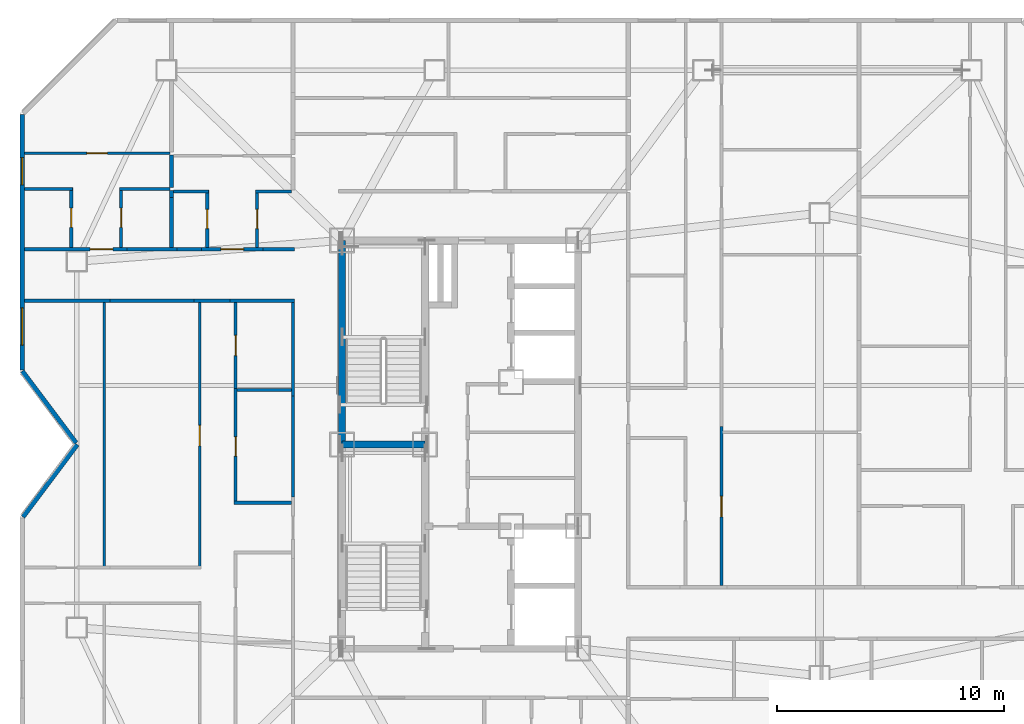
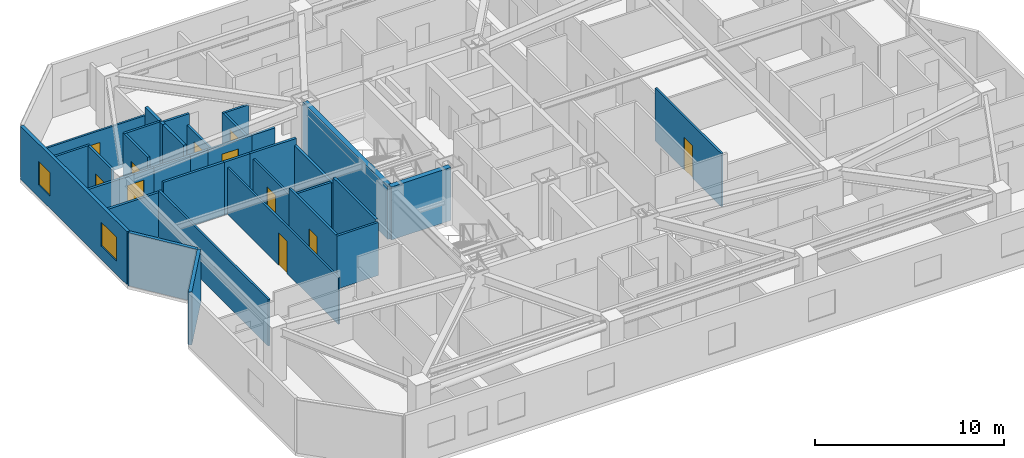
# One storey, part 7 of 13: 35 walls, 11 doors, 2 windows, 13 openings.
"""IFC4 building model written with IfcOpenShell, lengths in metres."""

from ifc_helpers import new_model, si_unit, direction, frame, frame_2d, origin, place, context, subcontext, project, spatial, rectangle, extrude, material, layer, layer_set, type_object, element, fill, save


model = new_model("IFC4")

# Units and contexts
model_context = context("Model", 3, precision=1e-05, world=origin(), true_north=direction((0.0, 1.0)))
body_context = subcontext(model_context, "Body", "Model", "MODEL_VIEW")
ifc_project = project(units=[si_unit("LENGTHUNIT", "METRE"), si_unit("AREAUNIT", "SQUARE_METRE"), si_unit("VOLUMEUNIT", "CUBIC_METRE"), si_unit("PLANEANGLEUNIT", "RADIAN"), si_unit("MASSUNIT", "GRAM", prefix="KILO")], contexts=[model_context])

# Site, building, storey
site_placement = place(None, origin())
site = spatial("IfcSite", under=ifc_project, at=site_placement, CompositionType="ELEMENT")
building_placement = place(site_placement, origin())
building = spatial("IfcBuilding", under=site, at=building_placement, Name="Khamvora Tower", CompositionType="ELEMENT")
storey_placement = place(building_placement, frame((0.0, 0.0, 196.050048828125)))
storey = spatial("IfcBuildingStorey", under=building, at=storey_placement, Name="L50", CompositionType="ELEMENT", Elevation=196.050048828125)

# Walls
ifc_material_1 = material(Name="Concrete C50/60", Category="concrete")
ifc_layer_1 = layer(ifc_material_1, 0.300048828125)
ifc_layer_set_1 = layer_set([ifc_layer_1], Name="Concrete C50/60")
wall_type_1 = type_object("IfcWallType", Name="WAL-CORE-300", PredefinedType="SHEAR", material=ifc_layer_set_1)
wall_1_placement = place(storey_placement, frame((29.0, 28.0, 0.0), z_axis=(0.0, 0.0, 1.0), x_axis=(0.0, 1.0, 0.0)))
element("IfcWall", 1, at=wall_1_placement, inside=storey, type_object=wall_type_1, Name="L50 central core west north wall", PredefinedType="SHEAR", context=body_context, shape_type="SweptSolid", body=[
    extrude(rectangle(XDim=9.0, YDim=0.300048828125, at=frame_2d((4.5, 0.0))), origin(), (0.0, 0.0, 1.0), 3.429931640625),
])
wall_2_placement = place(storey_placement, frame((29.0, 28.0, 0.0), z_axis=(0.0, 0.0, 1.0), x_axis=(1.0, 0.0, 0.0)))
element("IfcWall", 2, at=wall_2_placement, inside=storey, type_object=wall_type_1, Name="L50 central core stair cross wall", PredefinedType="SHEAR", context=body_context, shape_type="SweptSolid", body=[
    extrude(rectangle(XDim=3.64990234375, YDim=0.300048828125, at=frame_2d((1.824951171875, 0.0))), origin(), (0.0, 0.0, 1.0), 3.429931640625),
])
ifc_material_2 = material(Name="Fire-Rated Drywall and Steel Stud", Category="steel")
ifc_layer_2 = layer(ifc_material_2, 0.14990234375)
ifc_layer_set_2 = layer_set([ifc_layer_2], Name="Fire-Rated Drywall and Steel Stud")
wall_type_2 = type_object("IfcWallType", Name="WAL-CORR-150", PredefinedType="STANDARD", material=ifc_layer_set_2)
wall_3_placement = place(storey_placement, frame((26.8349609375, 30.14990234375, 0.0), z_axis=(0.0, 0.0, 1.0), x_axis=(0.0, 1.0, 0.0)))
element("IfcWall", 3, at=wall_3_placement, inside=storey, type_object=wall_type_2, Name="L50 interior partition wall 009", PredefinedType="STANDARD", context=body_context, shape_type="SweptSolid", body=[
    extrude(rectangle(XDim=4.25, YDim=0.14990234375, at=frame_2d((2.125, 0.0))), origin(), (0.0, 0.0, 1.0), 3.012939453125),
])
wall_4_placement = place(storey_placement, frame((26.89794921875, 34.3349609375, 0.0), z_axis=(0.0, 0.0, 1.0), x_axis=(-1.0, 0.0, 0.0)))
element("IfcWall", 4, at=wall_4_placement, inside=storey, type_object=wall_type_2, Name="L50 interior partition wall 010", PredefinedType="STANDARD", context=body_context, shape_type="SweptSolid", body=[
    extrude(rectangle(XDim=2.842041015625, YDim=0.14990234375, at=frame_2d((1.4208984375, 0.0))), origin(), (0.0, 0.0, 1.0), 3.429931640625),
])
wall_5_placement = place(storey_placement, frame((24.055908203125, 34.3349609375, 0.0), z_axis=(0.0, 0.0, 1.0), x_axis=(-1.0, 0.0, 0.0)))
element("IfcWall", 5, at=wall_5_placement, inside=storey, type_object=wall_type_2, Name="L50 interior partition wall 012", PredefinedType="STANDARD", context=body_context, shape_type="SweptSolid", body=[
    extrude(rectangle(XDim=1.579833984375, YDim=0.14990234375, at=frame_2d((0.7900390625, 0.0))), origin(), (0.0, 0.0, 1.0), 3.429931640625),
])
wall_6_placement = place(storey_placement, frame((26.8349609375, 25.68310546875, 0.0), z_axis=(0.0, 0.0, 1.0), x_axis=(0.0, 1.0, 0.0)))
element("IfcWall", 6, at=wall_6_placement, inside=storey, type_object=wall_type_2, Name="L50 interior partition wall 014", PredefinedType="STANDARD", context=body_context, shape_type="SweptSolid", body=[
    extrude(rectangle(XDim=4.466796875, YDim=0.14990234375, at=frame_2d((2.2333984375, 0.0))), origin(), (0.0, 0.0, 1.0), 3.429931640625),
])
wall_7_placement = place(storey_placement, frame((18.759033203125, 34.3349609375, 0.0), z_axis=(0.0, 0.0, 1.0), x_axis=(-1.0, 0.0, 0.0)))
element("IfcWall", 7, at=wall_7_placement, inside=storey, type_object=wall_type_2, Name="L50 interior partition wall 015", PredefinedType="STANDARD", context=body_context, shape_type="SweptSolid", body=[
    extrude(rectangle(XDim=3.76708984375, YDim=0.14990234375, at=frame_2d((1.883544921875, 0.0))), origin(), (0.0, 0.0, 1.0), 2.8759765625),
])
wall_8_placement = place(storey_placement, frame((22.47607421875, 34.3349609375, 0.0), z_axis=(0.0, 0.0, 1.0), x_axis=(-1.0, 0.0, 0.0)))
element("IfcWall", 8, at=wall_8_placement, inside=storey, type_object=wall_type_2, Name="L50 interior partition wall 016", PredefinedType="STANDARD", context=body_context, shape_type="SweptSolid", body=[
    extrude(rectangle(XDim=3.717041015625, YDim=0.14990234375, at=frame_2d((1.8583984375, 0.0))), origin(), (0.0, 0.0, 1.0), 3.429931640625),
])

# Wall, opening, door
wall_9_placement = place(storey_placement, frame((14.991943359375, 36.614990234375, 0.0), z_axis=(0.0, 0.0, 1.0), x_axis=(1.0, 0.0, 0.0)))
wall_9 = element("IfcWall", 9, at=wall_9_placement, inside=storey, type_object=wall_type_2, Name="L50 interior partition wall 017", PredefinedType="STANDARD", context=body_context, shape_type="SweptSolid", body=[
    extrude(rectangle(XDim=4.51708984375, YDim=0.14990234375, at=frame_2d((2.258544921875, 0.0))), origin(), (0.0, 0.0, 1.0), 2.724853515625),
])
opening_1_placement = place(wall_9_placement, frame((2.89697265625, 0.0, 0.0)))
opening_1 = element("IfcOpeningElement", 10, at=opening_1_placement, cuts=wall_9, Name="Opening D-U1", PredefinedType="OPENING", context=body_context, shape_type="SweptSolid", body=[
    extrude(rectangle(XDim=1.0, YDim=2.14990234375, at=frame_2d((0.5, 1.074951171875))), frame((0.0, 0.0849609375, 0.0), z_axis=(0.0, -1.0, 0.0), x_axis=(1.0, 0.0, 0.0)), (0.0, 0.0, 1.0), 0.169921875),
])
ifc_material_3 = material(Name="Powder-Coated Steel and Hardwood Leaf", Category="steel")
door_type_1 = type_object("IfcDoorType", Name="DOR-UNIT-1000", OperationType="NOTDEFINED", PredefinedType="DOOR", material=ifc_material_3)
door_1_placement = place(opening_1_placement, origin())
door_1 = element("IfcDoor", 11, at=door_1_placement, inside=storey, type_object=door_type_1, Name="L50 interior door COR-50WBH", OperationType="SINGLE_SWING_RIGHT", OverallHeight=2.14990234375, OverallWidth=1.0, PredefinedType="DOOR", context=body_context, shape_type="SweptSolid", body=[
    extrude(rectangle(XDim=1.0, YDim=2.14990234375, at=frame_2d((0.5, 1.074951171875))), frame((0.0, 0.02490234375, 0.0), z_axis=(0.0, -1.0, 0.0), x_axis=(1.0, 0.0, 0.0)), (0.0, 0.0, 1.0), 0.050048828125),
])
fill(opening_1, door_1)

# Wall
wall_10_placement = place(storey_placement, frame((19.509033203125, 36.614990234375, 0.0), z_axis=(0.0, 0.0, 1.0), x_axis=(1.0, 0.0, 0.0)))
element("IfcWall", 12, at=wall_10_placement, inside=storey, type_object=wall_type_2, Name="L50 interior partition wall 018", PredefinedType="STANDARD", context=body_context, shape_type="SweptSolid", body=[
    extrude(rectangle(XDim=2.215087890625, YDim=0.14990234375, at=frame_2d((1.107421875, 0.0))), origin(), (0.0, 0.0, 1.0), 2.724853515625),
])

# Wall, opening, door
wall_11_placement = place(storey_placement, frame((22.805908203125, 36.614990234375, 0.0), z_axis=(0.0, 0.0, 1.0), x_axis=(1.0, 0.0, 0.0)))
wall_11 = element("IfcWall", 13, at=wall_11_placement, inside=storey, type_object=wall_type_2, Name="L50 interior partition wall 019", PredefinedType="STANDARD", context=body_context, shape_type="SweptSolid", body=[
    extrude(rectangle(XDim=2.697998046875, YDim=0.14990234375, at=frame_2d((1.34912109375, 0.0))), origin(), (0.0, 0.0, 1.0), 2.724853515625),
])
opening_2_placement = place(wall_11_placement, frame((0.84912109375, 0.0, 0.0)))
opening_2 = element("IfcOpeningElement", 14, at=opening_2_placement, cuts=wall_11, Name="Opening D-U1", PredefinedType="OPENING", context=body_context, shape_type="SweptSolid", body=[
    extrude(rectangle(XDim=1.0, YDim=2.14990234375, at=frame_2d((0.5, 1.074951171875))), frame((0.0, 0.0849609375, 0.0), z_axis=(0.0, -1.0, 0.0), x_axis=(1.0, 0.0, 0.0)), (0.0, 0.0, 1.0), 0.169921875),
])
door_2_placement = place(opening_2_placement, origin())
door_2 = element("IfcDoor", 15, at=door_2_placement, inside=storey, type_object=door_type_1, Name="L50 interior door COR-50WCH", OperationType="SINGLE_SWING_LEFT", OverallHeight=2.14990234375, OverallWidth=1.0, PredefinedType="DOOR", context=body_context, shape_type="SweptSolid", body=[
    extrude(rectangle(XDim=1.0, YDim=2.14990234375, at=frame_2d((0.5, 1.074951171875))), frame((0.0, 0.02490234375, 0.0), z_axis=(0.0, -1.0, 0.0), x_axis=(1.0, 0.0, 0.0)), (0.0, 0.0, 1.0), 0.050048828125),
])
fill(opening_2, door_2)

# Walls
wall_12_placement = place(storey_placement, frame((25.50390625, 36.614990234375, 0.0), z_axis=(0.0, 0.0, 1.0), x_axis=(1.0, 0.0, 0.0)))
element("IfcWall", 16, at=wall_12_placement, inside=storey, type_object=wall_type_2, Name="L50 interior partition wall 020", PredefinedType="STANDARD", context=body_context, shape_type="SweptSolid", body=[
    extrude(rectangle(XDim=1.39599609375, YDim=0.14990234375, at=frame_2d((0.697998046875, 0.0))), origin(), (0.0, 0.0, 1.0), 2.724853515625),
])
wall_13_placement = place(storey_placement, frame((21.72412109375, 36.614990234375, 0.0), z_axis=(0.0, 0.0, 1.0), x_axis=(1.0, 0.0, 0.0)))
element("IfcWall", 17, at=wall_13_placement, inside=storey, type_object=wall_type_2, Name="L50 interior partition wall 021", PredefinedType="STANDARD", context=body_context, shape_type="SweptSolid", body=[
    extrude(rectangle(XDim=1.081787109375, YDim=0.14990234375, at=frame_2d((0.541015625, 0.0))), origin(), (0.0, 0.0, 1.0), 2.724853515625),
])
ifc_material_4 = material(Name="Acoustic Double-Stud Fire Wall", Category="gypsum")
ifc_layer_3 = layer(ifc_material_4, 0.179931640625)
ifc_layer_set_3 = layer_set([ifc_layer_3], Name="Acoustic Double-Stud Fire Wall")
wall_type_3 = type_object("IfcWallType", Name="WAL-CORR-180", PredefinedType="STANDARD", material=ifc_layer_set_3)
wall_14_placement = place(storey_placement, frame((21.47509765625, 40.77197265625, 0.0), z_axis=(0.0, 0.0, 1.0), x_axis=(0.0, -1.0, 0.0)))
element("IfcWall", 18, at=wall_14_placement, inside=storey, type_object=wall_type_3, Name="L50 interior partition wall 069", PredefinedType="STANDARD", context=body_context, shape_type="SweptSolid", body=[
    extrude(rectangle(XDim=1.449951171875, YDim=0.179931640625, at=frame_2d((0.72509765625, 0.0))), origin(), (0.0, 0.0, 1.0), 3.429931640625),
])
wall_15_placement = place(storey_placement, frame((21.47509765625, 39.19189453125, 0.0), z_axis=(0.0, 0.0, 1.0), x_axis=(0.0, -1.0, 0.0)))
element("IfcWall", 19, at=wall_15_placement, inside=storey, type_object=wall_type_3, Name="L50 interior partition wall 070", PredefinedType="STANDARD", context=body_context, shape_type="SweptSolid", body=[
    extrude(rectangle(XDim=0.2958984375, YDim=0.179931640625, at=frame_2d((0.14794921875, 0.0))), origin(), (0.0, 0.0, 1.0), 3.429931640625),
])
wall_16_placement = place(storey_placement, frame((21.47509765625, 38.89599609375, 0.0), z_axis=(0.0, 0.0, 1.0), x_axis=(0.0, -1.0, 0.0)))
element("IfcWall", 20, at=wall_16_placement, inside=storey, type_object=wall_type_3, Name="L50 interior partition wall 071", PredefinedType="STANDARD", context=body_context, shape_type="SweptSolid", body=[
    extrude(rectangle(XDim=2.214111328125, YDim=0.179931640625, at=frame_2d((1.10693359375, 0.0))), origin(), (0.0, 0.0, 1.0), 3.429931640625),
])
ifc_material_5 = material(Name="Precast concrete C40/50", Category="concrete")
ifc_layer_4 = layer(ifc_material_5, 0.199951171875)
ifc_layer_set_4 = layer_set([ifc_layer_4], Name="Precast concrete C40/50")
wall_type_4 = type_object("IfcWallType", Name="WAL-EXT-200", PredefinedType="STANDARD", material=ifc_layer_set_4)
wall_17_placement = place(storey_placement, frame((14.929931640625, 24.806884765625, 0.0), z_axis=(0.0, 0.0, 1.0), x_axis=(0.600029358831, 0.799977980035, 0.0)))
element("IfcWall", 21, at=wall_17_placement, inside=storey, type_object=wall_type_4, Name="L50 exterior facade wall 03.1", PredefinedType="STANDARD", context=body_context, shape_type="SweptSolid", body=[
    extrude(rectangle(XDim=3.991455078125, YDim=0.199951171875, at=frame_2d((1.99560546875, 0.0))), origin(), (0.0, 0.0, 1.0), 3.429931640625),
])
wall_18_placement = place(storey_placement, frame((17.27294921875, 28.069091796875, 0.0), z_axis=(0.0, 0.0, 1.0), x_axis=(-0.600029630681, 0.799977776132, 0.0)))
element("IfcWall", 22, at=wall_18_placement, inside=storey, type_object=wall_type_4, Name="L50 exterior facade wall 04.1", PredefinedType="STANDARD", context=body_context, shape_type="SweptSolid", body=[
    extrude(rectangle(XDim=3.954833984375, YDim=0.199951171875, at=frame_2d((1.9775390625, 0.0))), origin(), (0.0, 0.0, 1.0), 3.429931640625),
])

# Wall, openings, windows
wall_19_placement = place(storey_placement, frame((14.89990234375, 31.283935546875, 0.0), z_axis=(0.0, 0.0, 1.0), x_axis=(0.0, 1.0, 0.0)))
wall_19 = element("IfcWall", 23, at=wall_19_placement, inside=storey, type_object=wall_type_4, Name="L50 exterior facade wall 05.1", PredefinedType="STANDARD", context=body_context, shape_type="SweptSolid", body=[
    extrude(rectangle(XDim=11.275146484375, YDim=0.199951171875, at=frame_2d((5.6376953125, 0.0))), origin(), (0.0, 0.0, 1.0), 3.429931640625),
])
opening_3_placement = place(wall_19_placement, frame((1.093017578125, 0.0, 0.85009765625)))
opening_3 = element("IfcOpeningElement", 24, at=opening_3_placement, cuts=wall_19, Name="Opening WN-06", PredefinedType="OPENING", context=body_context, shape_type="SweptSolid", body=[
    extrude(rectangle(XDim=1.64990234375, YDim=1.550048828125, at=frame_2d((0.824951171875, 0.77490234375))), frame((0.0, 0.10986328125, 0.0), z_axis=(0.0, -1.0, 0.0), x_axis=(1.0, 0.0, 0.0)), (0.0, 0.0, 1.0), 0.219970703125),
])
opening_4_placement = place(wall_19_placement, frame((8.1630859375, 0.0, 0.800048828125)))
opening_4 = element("IfcOpeningElement", 25, at=opening_4_placement, cuts=wall_19, Name="Opening WN-03", PredefinedType="OPENING", context=body_context, shape_type="SweptSolid", body=[
    extrude(rectangle(XDim=1.199951171875, YDim=1.5, at=frame_2d((0.60009765625, 0.75))), frame((0.0, 0.10986328125, 0.0), z_axis=(0.0, -1.0, 0.0), x_axis=(1.0, 0.0, 0.0)), (0.0, 0.0, 1.0), 0.219970703125),
])
ifc_material_6 = material(Name="Low-E Laminated Double Glazing", Category="glass")
window_type_1 = type_object("IfcWindowType", Name="WIN-VIS-1200x1500", PartitioningType="SINGLE_PANEL", PredefinedType="WINDOW", material=ifc_material_6)
window_1_placement = place(opening_4_placement, origin())
window_1 = element("IfcWindow", 26, at=window_1_placement, inside=storey, type_object=window_type_1, Name="L50 vision window 05.1.02", OverallHeight=1.5, OverallWidth=1.199951171875, PartitioningType="SINGLE_PANEL", PredefinedType="WINDOW", context=body_context, shape_type="SweptSolid", body=[
    extrude(rectangle(XDim=1.199951171875, YDim=1.5, at=frame_2d((0.60009765625, 0.75))), frame((0.0, 0.030029296875, 0.0), z_axis=(0.0, -1.0, 0.0), x_axis=(1.0, 0.0, 0.0)), (0.0, 0.0, 1.0), 0.06005859375),
])
fill(opening_4, window_1)
window_type_2 = type_object("IfcWindowType", Name="WIN-VIS-1650x1550", PartitioningType="SINGLE_PANEL", PredefinedType="WINDOW", material=ifc_material_6)
window_2_placement = place(opening_3_placement, origin())
window_2 = element("IfcWindow", 27, at=window_2_placement, inside=storey, type_object=window_type_2, Name="L50 vision window 05.1.01", OverallHeight=1.550048828125, OverallWidth=1.64990234375, PartitioningType="SINGLE_PANEL", PredefinedType="WINDOW", context=body_context, shape_type="SweptSolid", body=[
    extrude(rectangle(XDim=1.64990234375, YDim=1.550048828125, at=frame_2d((0.824951171875, 0.77490234375))), frame((0.0, 0.030029296875, 0.0), z_axis=(0.0, -1.0, 0.0), x_axis=(1.0, 0.0, 0.0)), (0.0, 0.0, 1.0), 0.06005859375),
])
fill(opening_3, window_2)

# Wall, opening, door
ifc_material_7 = material(Name="Gypsum Plasterboard Partition", Category="gypsum")
ifc_layer_5 = layer(ifc_material_7, 0.1201171875)
ifc_layer_set_5 = layer_set([ifc_layer_5], Name="Gypsum Plasterboard Partition")
wall_type_5 = type_object("IfcWallType", Name="WAL-PART-120", PredefinedType="PARTITIONING", material=ifc_layer_set_5)
wall_20_placement = place(storey_placement, frame((24.304931640625, 30.464111328125, 0.0), z_axis=(0.0, 0.0, 1.0), x_axis=(0.0, 1.0, 0.0)))
wall_20 = element("IfcWall", 28, at=wall_20_placement, inside=storey, type_object=wall_type_5, Name="L50 interior partition wall 050", PredefinedType="PARTITIONING", context=body_context, shape_type="SweptSolid", body=[
    extrude(rectangle(XDim=3.803955078125, YDim=0.1201171875, at=frame_2d((1.90185546875, 0.0))), origin(), (0.0, 0.0, 1.0), 3.012939453125),
])
opening_5_placement = place(wall_20_placement, frame((1.451904296875, 0.0, 0.0)))
opening_5 = element("IfcOpeningElement", 29, at=opening_5_placement, cuts=wall_20, Name="Opening D-RM1", PredefinedType="OPENING", context=body_context, shape_type="SweptSolid", body=[
    extrude(rectangle(XDim=0.89990234375, YDim=2.10009765625, at=frame_2d((0.449951171875, 1.050048828125))), frame((0.0, 0.070068359375, 0.0), z_axis=(0.0, -1.0, 0.0), x_axis=(1.0, 0.0, 0.0)), (0.0, 0.0, 1.0), 0.14013671875),
])
door_type_2 = type_object("IfcDoorType", Name="DOR-ROOM-900", OperationType="NOTDEFINED", PredefinedType="DOOR", material=ifc_material_3)
door_3_placement = place(opening_5_placement, origin())
door_3 = element("IfcDoor", 30, at=door_3_placement, inside=storey, type_object=door_type_2, Name="L50 interior door 50WAW2-50WAH", OperationType="SINGLE_SWING_RIGHT", OverallHeight=2.10009765625, OverallWidth=0.89990234375, PredefinedType="DOOR", context=body_context, shape_type="SweptSolid", body=[
    extrude(rectangle(XDim=0.89990234375, YDim=2.10009765625, at=frame_2d((0.449951171875, 1.050048828125))), frame((0.0, 0.02490234375, 0.0), z_axis=(0.0, -1.0, 0.0), x_axis=(1.0, 0.0, 0.0)), (0.0, 0.0, 1.0), 0.050048828125),
])
fill(opening_5, door_3)

wall_21_placement = place(storey_placement, frame((22.72509765625, 22.510009765625, 0.0), z_axis=(0.0, 0.0, 1.0), x_axis=(0.0, 1.0, 0.0)))
wall_21 = element("IfcWall", 31, at=wall_21_placement, inside=storey, type_object=wall_type_5, Name="L50 interior partition wall 061", PredefinedType="PARTITIONING", context=body_context, shape_type="SweptSolid", body=[
    extrude(rectangle(XDim=11.758056640625, YDim=0.1201171875, at=frame_2d((5.87890625, 0.0))), origin(), (0.0, 0.0, 1.0), 3.012939453125),
])
opening_6_placement = place(wall_21_placement, frame((5.428955078125, 0.0, 0.0)))
opening_6 = element("IfcOpeningElement", 32, at=opening_6_placement, cuts=wall_21, Name="Opening D-RM1", PredefinedType="OPENING", context=body_context, shape_type="SweptSolid", body=[
    extrude(rectangle(XDim=0.89990234375, YDim=2.10009765625, at=frame_2d((0.449951171875, 1.050048828125))), frame((0.0, 0.070068359375, 0.0), z_axis=(0.0, -1.0, 0.0), x_axis=(1.0, 0.0, 0.0)), (0.0, 0.0, 1.0), 0.14013671875),
])
door_4_placement = place(opening_6_placement, origin())
door_4 = element("IfcDoor", 33, at=door_4_placement, inside=storey, type_object=door_type_2, Name="L50 interior door 50WAH-50WAR4", OperationType="SINGLE_SWING_RIGHT", OverallHeight=2.10009765625, OverallWidth=0.89990234375, PredefinedType="DOOR", context=body_context, shape_type="SweptSolid", body=[
    extrude(rectangle(XDim=0.89990234375, YDim=2.10009765625, at=frame_2d((0.449951171875, 1.050048828125))), frame((0.0, 0.02490234375, 0.0), z_axis=(0.0, -1.0, 0.0), x_axis=(1.0, 0.0, 0.0)), (0.0, 0.0, 1.0), 0.050048828125),
])
fill(opening_6, door_4)

# Wall
wall_22_placement = place(storey_placement, frame((18.510009765625, 34.26806640625, 0.0), z_axis=(0.0, 0.0, 1.0), x_axis=(0.0, -1.0, 0.0)))
element("IfcWall", 34, at=wall_22_placement, inside=storey, type_object=wall_type_5, Name="L50 interior partition wall 063", PredefinedType="PARTITIONING", context=body_context, shape_type="SweptSolid", body=[
    extrude(rectangle(XDim=11.63916015625, YDim=0.1201171875, at=frame_2d((5.819580078125, 0.0))), origin(), (0.0, 0.0, 1.0), 3.012939453125),
])

# Wall, opening, door
wall_23_placement = place(storey_placement, frame((14.991943359375, 40.8369140625, 0.0), z_axis=(0.0, 0.0, 1.0), x_axis=(1.0, 0.0, 0.0)))
wall_23 = element("IfcWall", 35, at=wall_23_placement, inside=storey, type_object=wall_type_5, Name="L50 interior partition wall 068", PredefinedType="PARTITIONING", context=body_context, shape_type="SweptSolid", body=[
    extrude(rectangle(XDim=6.41796875, YDim=0.1201171875, at=frame_2d((3.208984375, 0.0))), origin(), (0.0, 0.0, 1.0), 2.8759765625),
])
opening_7_placement = place(wall_23_placement, frame((2.759033203125, 0.0, 0.0)))
opening_7 = element("IfcOpeningElement", 36, at=opening_7_placement, cuts=wall_23, Name="Opening D-RM1", PredefinedType="OPENING", context=body_context, shape_type="SweptSolid", body=[
    extrude(rectangle(XDim=0.89990234375, YDim=2.10009765625, at=frame_2d((0.449951171875, 1.050048828125))), frame((0.0, 0.070068359375, 0.0), z_axis=(0.0, -1.0, 0.0), x_axis=(1.0, 0.0, 0.0)), (0.0, 0.0, 1.0), 0.14013671875),
])
door_5_placement = place(opening_7_placement, origin())
door_5 = element("IfcDoor", 37, at=door_5_placement, inside=storey, type_object=door_type_2, Name="L50 interior door 50WBH-50WBS", OperationType="SINGLE_SWING_LEFT", OverallHeight=2.10009765625, OverallWidth=0.89990234375, PredefinedType="DOOR", context=body_context, shape_type="SweptSolid", body=[
    extrude(rectangle(XDim=0.89990234375, YDim=2.10009765625, at=frame_2d((0.449951171875, 1.050048828125))), frame((0.0, 0.02490234375, 0.0), z_axis=(0.0, -1.0, 0.0), x_axis=(1.0, 0.0, 0.0)), (0.0, 0.0, 1.0), 0.050048828125),
])
fill(opening_7, door_5)

wall_24_placement = place(storey_placement, frame((45.72509765625, 28.7890625, 0.0), z_axis=(0.0, 0.0, 1.0), x_axis=(0.0, -1.0, 0.0)))
wall_24 = element("IfcWall", 38, at=wall_24_placement, inside=storey, type_object=wall_type_5, Name="L50 interior partition wall 121", PredefinedType="PARTITIONING", context=body_context, shape_type="SweptSolid", body=[
    extrude(rectangle(XDim=7.009033203125, YDim=0.1201171875, at=frame_2d((3.50439453125, 0.0))), origin(), (0.0, 0.0, 1.0), 3.429931640625),
])
opening_8_placement = place(wall_24_placement, frame((3.074951171875, 0.0, 0.0)))
opening_8 = element("IfcOpeningElement", 39, at=opening_8_placement, cuts=wall_24, Name="Opening D-RM1", PredefinedType="OPENING", context=body_context, shape_type="SweptSolid", body=[
    extrude(rectangle(XDim=0.89990234375, YDim=2.10009765625, at=frame_2d((0.449951171875, 1.050048828125))), frame((0.0, 0.070068359375, 0.0), z_axis=(0.0, -1.0, 0.0), x_axis=(1.0, 0.0, 0.0)), (0.0, 0.0, 1.0), 0.14013671875),
])
door_6_placement = place(opening_8_placement, origin())
door_6 = element("IfcDoor", 40, at=door_6_placement, inside=storey, type_object=door_type_2, Name="L50 interior door 50EBH-50EBR1", OperationType="SINGLE_SWING_RIGHT", OverallHeight=2.10009765625, OverallWidth=0.89990234375, PredefinedType="DOOR", context=body_context, shape_type="SweptSolid", body=[
    extrude(rectangle(XDim=0.89990234375, YDim=2.10009765625, at=frame_2d((0.449951171875, 1.050048828125))), frame((0.0, 0.02490234375, 0.0), z_axis=(0.0, -1.0, 0.0), x_axis=(1.0, 0.0, 0.0)), (0.0, 0.0, 1.0), 0.050048828125),
])
fill(opening_8, door_6)

# Wall
ifc_material_8 = material(Name="Moisture-Resistant Plasterboard Partition", Category="gypsum")
ifc_layer_6 = layer(ifc_material_8, 0.135009765625)
ifc_layer_set_6 = layer_set([ifc_layer_6], Name="Moisture-Resistant Plasterboard Partition")
wall_type_6 = type_object("IfcWallType", Name="WAL-WET-135", PredefinedType="PARTITIONING", material=ifc_layer_set_6)
wall_25_placement = place(storey_placement, frame((26.77001953125, 30.39892578125, 0.0), z_axis=(0.0, 0.0, 1.0), x_axis=(-1.0, 0.0, 0.0)))
element("IfcWall", 41, at=wall_25_placement, inside=storey, type_object=wall_type_6, Name="L50 interior partition wall 051", PredefinedType="PARTITIONING", context=body_context, shape_type="SweptSolid", body=[
    extrude(rectangle(XDim=2.39990234375, YDim=0.135009765625, at=frame_2d((1.199951171875, 0.0))), origin(), (0.0, 0.0, 1.0), 3.012939453125),
])

# Wall, opening, door
wall_26_placement = place(storey_placement, frame((24.304931640625, 30.464111328125, 0.0), z_axis=(0.0, 0.0, 1.0), x_axis=(0.0, -1.0, 0.0)))
wall_26 = element("IfcWall", 42, at=wall_26_placement, inside=storey, type_object=wall_type_6, Name="L50 interior partition wall 054", PredefinedType="PARTITIONING", context=body_context, shape_type="SweptSolid", body=[
    extrude(rectangle(XDim=5.09521484375, YDim=0.135009765625, at=frame_2d((2.547607421875, 0.0))), origin(), (0.0, 0.0, 1.0), 3.429931640625),
])
opening_9_placement = place(wall_26_placement, frame((2.123046875, 0.0, 0.0)))
opening_9 = element("IfcOpeningElement", 43, at=opening_9_placement, cuts=wall_26, Name="Opening D-RM2", PredefinedType="OPENING", context=body_context, shape_type="SweptSolid", body=[
    extrude(rectangle(XDim=0.85009765625, YDim=2.10009765625, at=frame_2d((0.425048828125, 1.050048828125))), frame((0.0, 0.077392578125, 0.0), z_axis=(0.0, -1.0, 0.0), x_axis=(1.0, 0.0, 0.0)), (0.0, 0.0, 1.0), 0.155029296875),
])
door_type_3 = type_object("IfcDoorType", Name="DOR-ROOM-850", OperationType="NOTDEFINED", PredefinedType="DOOR", material=ifc_material_3)
door_7_placement = place(opening_9_placement, origin())
door_7 = element("IfcDoor", 44, at=door_7_placement, inside=storey, type_object=door_type_3, Name="L50 interior door 50WAH-50WAK", OperationType="SINGLE_SWING_RIGHT", OverallHeight=2.10009765625, OverallWidth=0.85009765625, PredefinedType="DOOR", context=body_context, shape_type="SweptSolid", body=[
    extrude(rectangle(XDim=0.85009765625, YDim=2.10009765625, at=frame_2d((0.425048828125, 1.050048828125))), frame((0.0, 0.02490234375, 0.0), z_axis=(0.0, -1.0, 0.0), x_axis=(1.0, 0.0, 0.0)), (0.0, 0.0, 1.0), 0.050048828125),
])
fill(opening_9, door_7)

# Wall
wall_27_placement = place(storey_placement, frame((24.239990234375, 25.43408203125, 0.0), z_axis=(0.0, 0.0, 1.0), x_axis=(1.0, 0.0, 0.0)))
element("IfcWall", 45, at=wall_27_placement, inside=storey, type_object=wall_type_6, Name="L50 interior partition wall 055", PredefinedType="PARTITIONING", context=body_context, shape_type="SweptSolid", body=[
    extrude(rectangle(XDim=2.530029296875, YDim=0.135009765625, at=frame_2d((1.26513671875, 0.0))), origin(), (0.0, 0.0, 1.0), 3.429931640625),
])

# Wall, opening, door
wall_28_placement = place(storey_placement, frame((17.06005859375, 36.681884765625, 0.0), z_axis=(0.0, 0.0, 1.0), x_axis=(0.0, 1.0, 0.0)))
wall_28 = element("IfcWall", 46, at=wall_28_placement, inside=storey, type_object=wall_type_6, Name="L50 interior partition wall 064", PredefinedType="PARTITIONING", context=body_context, shape_type="SweptSolid", body=[
    extrude(rectangle(XDim=2.64013671875, YDim=0.135009765625, at=frame_2d((1.320068359375, 0.0))), origin(), (0.0, 0.0, 1.0), 3.429931640625),
])
opening_10_placement = place(wall_28_placement, frame((0.89501953125, 0.0, 0.0)))
opening_10 = element("IfcOpeningElement", 47, at=opening_10_placement, cuts=wall_28, Name="Opening D-WC1", PredefinedType="OPENING", context=body_context, shape_type="SweptSolid", body=[
    extrude(rectangle(XDim=0.85009765625, YDim=2.10009765625, at=frame_2d((0.425048828125, 1.050048828125))), frame((0.0, 0.077392578125, 0.0), z_axis=(0.0, -1.0, 0.0), x_axis=(1.0, 0.0, 0.0)), (0.0, 0.0, 1.0), 0.155029296875),
])
door_type_4 = type_object("IfcDoorType", Name="DOR-WET-850", OperationType="NOTDEFINED", PredefinedType="DOOR", material=ifc_material_3)
door_8_placement = place(opening_10_placement, origin())
door_8 = element("IfcDoor", 48, at=door_8_placement, inside=storey, type_object=door_type_4, Name="L50 interior door 50WBH-50WBB", OperationType="SINGLE_SWING_LEFT", OverallHeight=2.10009765625, OverallWidth=0.85009765625, PredefinedType="DOOR", context=body_context, shape_type="SweptSolid", body=[
    extrude(rectangle(XDim=0.85009765625, YDim=2.10009765625, at=frame_2d((0.425048828125, 1.050048828125))), frame((0.0, 0.02490234375, 0.0), z_axis=(0.0, -1.0, 0.0), x_axis=(1.0, 0.0, 0.0)), (0.0, 0.0, 1.0), 0.050048828125),
])
fill(opening_10, door_8)

# Walls
wall_29_placement = place(storey_placement, frame((17.125, 39.257080078125, 0.0), z_axis=(0.0, 0.0, 1.0), x_axis=(-1.0, 0.0, 0.0)))
element("IfcWall", 49, at=wall_29_placement, inside=storey, type_object=wall_type_6, Name="L50 interior partition wall 065", PredefinedType="PARTITIONING", context=body_context, shape_type="SweptSolid", body=[
    extrude(rectangle(XDim=2.133056640625, YDim=0.135009765625, at=frame_2d((1.06640625, 0.0))), origin(), (0.0, 0.0, 1.0), 3.429931640625),
])
wall_30_placement = place(storey_placement, frame((21.409912109375, 39.257080078125, 0.0), z_axis=(0.0, 0.0, 1.0), x_axis=(-1.0, 0.0, 0.0)))
element("IfcWall", 50, at=wall_30_placement, inside=storey, type_object=wall_type_6, Name="L50 interior partition wall 066", PredefinedType="PARTITIONING", context=body_context, shape_type="SweptSolid", body=[
    extrude(rectangle(XDim=2.21484375, YDim=0.135009765625, at=frame_2d((1.107421875, 0.0))), origin(), (0.0, 0.0, 1.0), 3.429931640625),
])

# Wall, opening, door
wall_31_placement = place(storey_placement, frame((19.260009765625, 39.322021484375, 0.0), z_axis=(0.0, 0.0, 1.0), x_axis=(0.0, -1.0, 0.0)))
wall_31 = element("IfcWall", 51, at=wall_31_placement, inside=storey, type_object=wall_type_6, Name="L50 interior partition wall 067", PredefinedType="PARTITIONING", context=body_context, shape_type="SweptSolid", body=[
    extrude(rectangle(XDim=2.64013671875, YDim=0.135009765625, at=frame_2d((1.320068359375, 0.0))), origin(), (0.0, 0.0, 1.0), 3.429931640625),
])
opening_11_placement = place(wall_31_placement, frame((0.89501953125, 0.0, 0.0)))
opening_11 = element("IfcOpeningElement", 52, at=opening_11_placement, cuts=wall_31, Name="Opening D-RM2", PredefinedType="OPENING", context=body_context, shape_type="SweptSolid", body=[
    extrude(rectangle(XDim=0.85009765625, YDim=2.10009765625, at=frame_2d((0.425048828125, 1.050048828125))), frame((0.0, 0.077392578125, 0.0), z_axis=(0.0, -1.0, 0.0), x_axis=(1.0, 0.0, 0.0)), (0.0, 0.0, 1.0), 0.155029296875),
])
door_9_placement = place(opening_11_placement, origin())
door_9 = element("IfcDoor", 53, at=door_9_placement, inside=storey, type_object=door_type_3, Name="L50 interior door 50WBH-50WBK", OperationType="SINGLE_SWING_RIGHT", OverallHeight=2.10009765625, OverallWidth=0.85009765625, PredefinedType="DOOR", context=body_context, shape_type="SweptSolid", body=[
    extrude(rectangle(XDim=0.85009765625, YDim=2.10009765625, at=frame_2d((0.425048828125, 1.050048828125))), frame((0.0, 0.02490234375, 0.0), z_axis=(0.0, -1.0, 0.0), x_axis=(1.0, 0.0, 0.0)), (0.0, 0.0, 1.0), 0.050048828125),
])
fill(opening_11, door_9)

# Wall
wall_32_placement = place(storey_placement, frame((26.77001953125, 39.14501953125, 0.0), z_axis=(0.0, 0.0, 1.0), x_axis=(-1.0, 0.0, 0.0)))
element("IfcWall", 54, at=wall_32_placement, inside=storey, type_object=wall_type_6, Name="L50 interior partition wall 073", PredefinedType="PARTITIONING", context=body_context, shape_type="SweptSolid", body=[
    extrude(rectangle(XDim=1.580078125, YDim=0.135009765625, at=frame_2d((0.7900390625, 0.0))), origin(), (0.0, 0.0, 1.0), 2.724853515625),
])

# Wall, opening, door
wall_33_placement = place(storey_placement, frame((25.2548828125, 39.2099609375, 0.0), z_axis=(0.0, 0.0, 1.0), x_axis=(0.0, -1.0, 0.0)))
wall_33 = element("IfcWall", 55, at=wall_33_placement, inside=storey, type_object=wall_type_6, Name="L50 interior partition wall 074", PredefinedType="PARTITIONING", context=body_context, shape_type="SweptSolid", body=[
    extrude(rectangle(XDim=2.528076171875, YDim=0.135009765625, at=frame_2d((1.26416015625, 0.0))), origin(), (0.0, 0.0, 1.0), 2.724853515625),
])
opening_12_placement = place(wall_33_placement, frame((0.839111328125, 0.0, 0.0)))
opening_12 = element("IfcOpeningElement", 56, at=opening_12_placement, cuts=wall_33, Name="Opening D-WC1", PredefinedType="OPENING", context=body_context, shape_type="SweptSolid", body=[
    extrude(rectangle(XDim=0.85009765625, YDim=2.10009765625, at=frame_2d((0.425048828125, 1.050048828125))), frame((0.0, 0.077392578125, 0.0), z_axis=(0.0, -1.0, 0.0), x_axis=(1.0, 0.0, 0.0)), (0.0, 0.0, 1.0), 0.155029296875),
])
door_10_placement = place(opening_12_placement, origin())
door_10 = element("IfcDoor", 57, at=door_10_placement, inside=storey, type_object=door_type_4, Name="L50 interior door 50WCH-50WCB", OperationType="SINGLE_SWING_RIGHT", OverallHeight=2.10009765625, OverallWidth=0.85009765625, PredefinedType="DOOR", context=body_context, shape_type="SweptSolid", body=[
    extrude(rectangle(XDim=0.85009765625, YDim=2.10009765625, at=frame_2d((0.425048828125, 1.050048828125))), frame((0.0, 0.02490234375, 0.0), z_axis=(0.0, -1.0, 0.0), x_axis=(1.0, 0.0, 0.0)), (0.0, 0.0, 1.0), 0.050048828125),
])
fill(opening_12, door_10)

wall_34_placement = place(storey_placement, frame((23.054931640625, 36.681884765625, 0.0), z_axis=(0.0, 0.0, 1.0), x_axis=(0.0, 1.0, 0.0)))
wall_34 = element("IfcWall", 58, at=wall_34_placement, inside=storey, type_object=wall_type_6, Name="L50 interior partition wall 075", PredefinedType="PARTITIONING", context=body_context, shape_type="SweptSolid", body=[
    extrude(rectangle(XDim=2.528076171875, YDim=0.135009765625, at=frame_2d((1.26416015625, 0.0))), origin(), (0.0, 0.0, 1.0), 2.724853515625),
])
opening_13_placement = place(wall_34_placement, frame((0.839111328125, 0.0, 0.0)))
opening_13 = element("IfcOpeningElement", 59, at=opening_13_placement, cuts=wall_34, Name="Opening D-RM2", PredefinedType="OPENING", context=body_context, shape_type="SweptSolid", body=[
    extrude(rectangle(XDim=0.85009765625, YDim=2.10009765625, at=frame_2d((0.425048828125, 1.050048828125))), frame((0.0, 0.077392578125, 0.0), z_axis=(0.0, -1.0, 0.0), x_axis=(1.0, 0.0, 0.0)), (0.0, 0.0, 1.0), 0.155029296875),
])
door_11_placement = place(opening_13_placement, origin())
door_11 = element("IfcDoor", 60, at=door_11_placement, inside=storey, type_object=door_type_3, Name="L50 interior door 50WCH-50WCK", OperationType="SINGLE_SWING_LEFT", OverallHeight=2.10009765625, OverallWidth=0.85009765625, PredefinedType="DOOR", context=body_context, shape_type="SweptSolid", body=[
    extrude(rectangle(XDim=0.85009765625, YDim=2.10009765625, at=frame_2d((0.425048828125, 1.050048828125))), frame((0.0, 0.02490234375, 0.0), z_axis=(0.0, -1.0, 0.0), x_axis=(1.0, 0.0, 0.0)), (0.0, 0.0, 1.0), 0.050048828125),
])
fill(opening_13, door_11)

# Wall
wall_35_placement = place(storey_placement, frame((23.1201171875, 39.14501953125, 0.0), z_axis=(0.0, 0.0, 1.0), x_axis=(-1.0, 0.0, 0.0)))
element("IfcWall", 61, at=wall_35_placement, inside=storey, type_object=wall_type_6, Name="L50 interior partition wall 076", PredefinedType="PARTITIONING", context=body_context, shape_type="SweptSolid", body=[
    extrude(rectangle(XDim=1.563232421875, YDim=0.135009765625, at=frame_2d((0.78173828125, 0.0))), origin(), (0.0, 0.0, 1.0), 3.429931640625),
])

save(model, "model.ifc")
